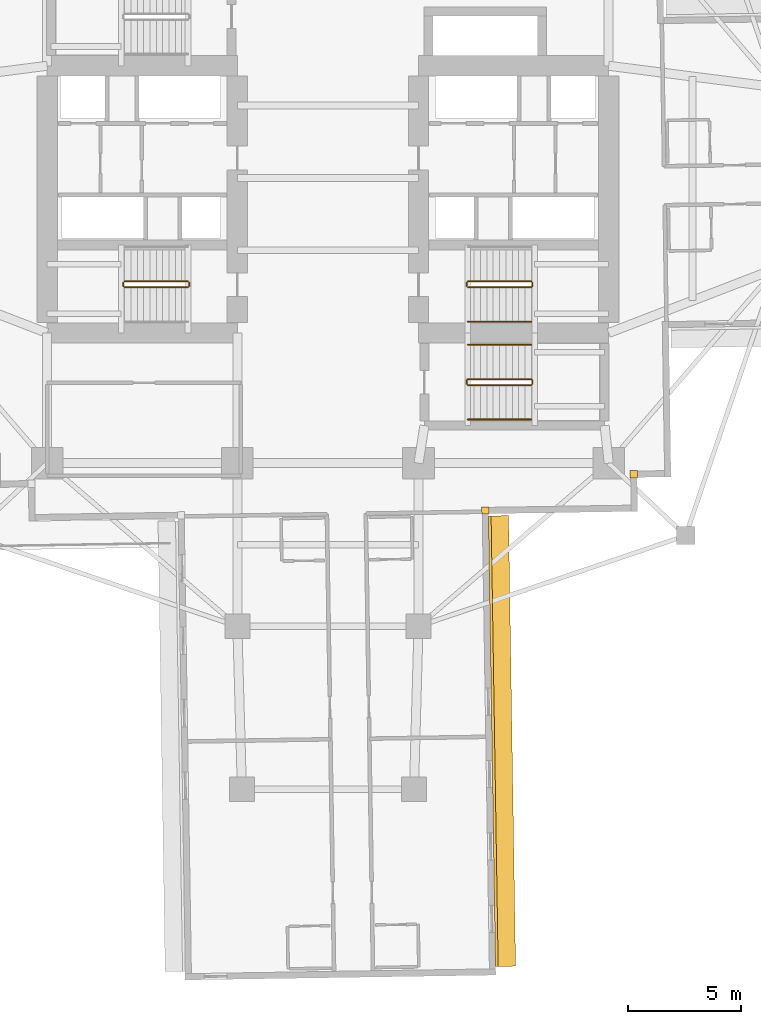
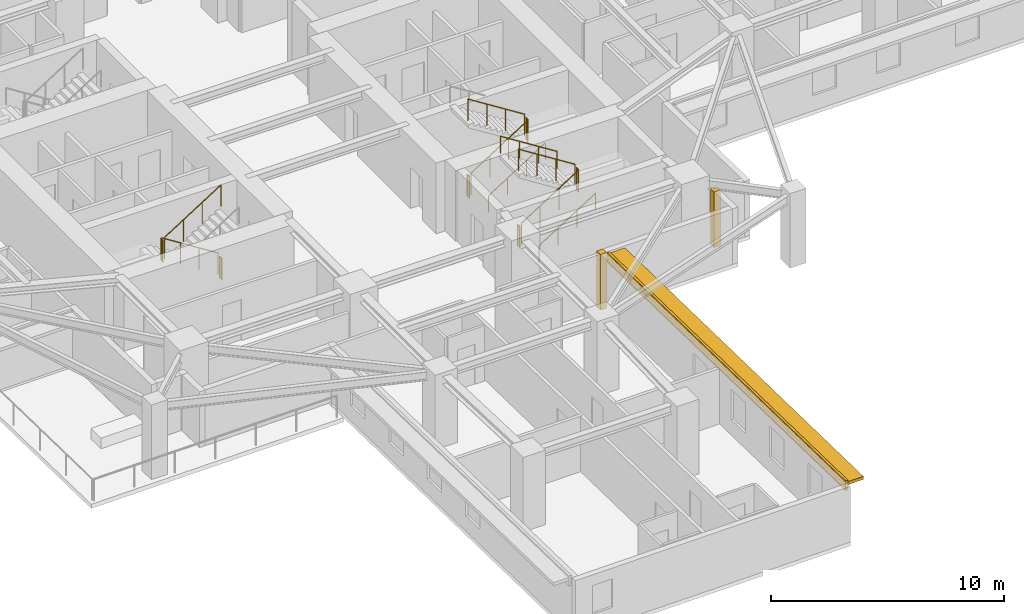
# One storey, part 11 of 14: 15 railings, 3 coverings, 1 shading device.
"""IFC4 building model written with IfcOpenShell, lengths in metres."""

import ifcopenshell
import ifcopenshell.guid

model = None  # the IFC model being written
_history = None  # IfcOwnerHistory: only IFC2X3 demands one
_inside = {}  # id of a spatial element -> (the spatial element, [elements in it])
_under = {}  # id of a project, library or spatial element -> (it, [spatial elements below it])
_declared = {}  # id of a project -> (the project, [libraries it declares])
_typed = {}  # id of a type object -> (the type object, [elements of that type])
_made_of = {}  # id of a material, layer set ... -> (it, [elements and type objects made of it])


def new_model(schema):
    """Start an empty IFC model of exactly this schema.

    Asked for "IFC4X3", IfcOpenShell would pick the latest addendum, in which some entities
    have other attributes; the version numbers below select the first issue.
    IFC2X3 requires an IfcOwnerHistory on every rooted entity: one is made here for all.
    """
    global model, _history
    if schema == "IFC4X3":
        model = ifcopenshell.file(schema_version=(4, 3, 0, 0))
    else:
        model = ifcopenshell.file(schema=schema)
    _inside.clear()
    _under.clear()
    _declared.clear()
    _typed.clear()
    _made_of.clear()
    _history = None
    if model.schema == "IFC2X3":
        org = make("IfcOrganization", Name="unknown")
        user = make(
            "IfcPersonAndOrganization",
            ThePerson=make("IfcPerson", FamilyName="unknown"),
            TheOrganization=org,
        )
        app = make(
            "IfcApplication",
            ApplicationDeveloper=org,
            Version="unknown",
            ApplicationFullName="unknown",
            ApplicationIdentifier="unknown",
        )
        _history = make(
            "IfcOwnerHistory",
            OwningUser=user,
            OwningApplication=app,
            ChangeAction="ADDED",
            CreationDate=0,
        )
    return model


def make(cls, **values):
    """One entity of the class cls with the attributes given. An attribute that is None is left unset."""
    return model.create_entity(
        cls, **{name: value for name, value in values.items() if value is not None}
    )


def rooted(cls, **values):
    """An entity with a GlobalId (a new one), such as an element, a storey or a relation."""
    return make(cls, GlobalId=ifcopenshell.guid.new(), OwnerHistory=_history, **values)


def si_unit(unit_type, name, prefix=None):
    """IfcSIUnit, for example si_unit("LENGTHUNIT", "METRE", prefix="MILLI")."""
    return make("IfcSIUnit", UnitType=unit_type, Prefix=prefix, Name=name)


def assignment(units):
    """IfcUnitAssignment: the units of a project."""
    return None if units is None else make("IfcUnitAssignment", Units=units)


def point(xyz):
    """IfcCartesianPoint."""
    return None if xyz is None else make("IfcCartesianPoint", Coordinates=xyz)


def direction(xyz):
    """IfcDirection."""
    return None if xyz is None else make("IfcDirection", DirectionRatios=xyz)


def frame(location, z_axis=None, x_axis=None):
    """IfcAxis2Placement3D, a coordinate frame: its origin and axes. An axis left out is left unset."""
    return make(
        "IfcAxis2Placement3D",
        Location=point(location),
        Axis=direction(z_axis),
        RefDirection=direction(x_axis),
    )


def frame_2d(location, x_axis=None):
    """IfcAxis2Placement2D, a coordinate frame in the plane: its origin and x axis."""
    return make(
        "IfcAxis2Placement2D", Location=point(location), RefDirection=direction(x_axis)
    )


def origin():
    """The frame at (0, 0, 0) with its axes left unset."""
    return frame((0.0, 0.0, 0.0))


def origin_2d():
    """The frame at (0, 0) in the plane with its x axis left unset."""
    return frame_2d((0.0, 0.0))


def place(relative_to, where):
    """IfcLocalPlacement: puts the frame where relative to a parent placement (None: the world)."""
    return make(
        "IfcLocalPlacement", PlacementRelTo=relative_to, RelativePlacement=where
    )


def context(
    kind, dimensions, precision=None, world=None, true_north=None, identifier=None
):
    """IfcGeometricRepresentationContext, for example the 3D "Model" context."""
    return make(
        "IfcGeometricRepresentationContext",
        ContextIdentifier=identifier,
        ContextType=kind,
        CoordinateSpaceDimension=dimensions,
        Precision=precision,
        WorldCoordinateSystem=world,
        TrueNorth=true_north,
    )


def subcontext(parent, identifier, kind, view, scale=None):
    """IfcGeometricRepresentationSubContext, for example "Body" below "Model"."""
    return make(
        "IfcGeometricRepresentationSubContext",
        ContextIdentifier=identifier,
        ContextType=kind,
        ParentContext=parent,
        TargetScale=scale,
        TargetView=view,
    )


def project(units=None, contexts=None):
    """IfcProject with its units and contexts."""
    return rooted(
        "IfcProject",
        Name="project",
        RepresentationContexts=contexts,
        UnitsInContext=assignment(units),
    )


def spatial(cls, under=None, at=None, **own):
    """A site, building, storey or space (cls), placed at a placement, below another one or the project."""
    s = rooted(cls, ObjectPlacement=at, **own)
    if under is not None:
        _under.setdefault(under.id(), (under, []))[1].append(s)
    return s


def profile(cls, at=None, kind="AREA", **sizes):
    """A parametric profile (cls). Its sizes go by their IFC names, for example OverallWidth=200.0."""
    return make(cls, ProfileType=kind, Position=at, **sizes)


def rectangle(**sizes):
    """IfcRectangleProfileDef."""
    return profile("IfcRectangleProfileDef", **sizes)


def circle(**sizes):
    """IfcCircleProfileDef."""
    return profile("IfcCircleProfileDef", **sizes)


def extrude(swept, where, along, depth):
    """IfcExtrudedAreaSolid: the profile swept, set in the frame where, extruded along a direction by depth."""
    return make(
        "IfcExtrudedAreaSolid",
        SweptArea=swept,
        Position=where,
        ExtrudedDirection=direction(along),
        Depth=depth,
    )


def shape(context_of_items, identifier, shape_type, items):
    """IfcShapeRepresentation: the items that make up one representation, for example the "Body"."""
    return make(
        "IfcShapeRepresentation",
        ContextOfItems=context_of_items,
        RepresentationIdentifier=identifier,
        RepresentationType=shape_type,
        Items=items,
    )


def material(Name=None, Category=None):
    """IfcMaterial."""
    return make("IfcMaterial", Name=Name, Category=Category)


def layer(
    of_material, thickness, ventilated=None, Name=None, Category=None, Priority=None
):
    """IfcMaterialLayer: one layer of a wall or slab, of a material (None: an air gap)."""
    return make(
        "IfcMaterialLayer",
        Material=of_material,
        LayerThickness=thickness,
        IsVentilated=ventilated,
        Name=Name,
        Category=Category,
        Priority=Priority,
    )


def layer_set(layers, Name=None):
    """IfcMaterialLayerSet."""
    return make("IfcMaterialLayerSet", MaterialLayers=layers, LayerSetName=Name)


def made_of(thing, what):
    """Note that an element or type object is made of a material, layer set ...; save() writes the relation."""
    if what is not None:
        _made_of.setdefault(what.id(), (what, []))[1].append(thing)
    return thing


def type_object(cls, material=None, **own):
    """A type object (cls), such as IfcWallType, which elements share."""
    return made_of(rooted(cls, **own), material)


def element(
    cls,
    number,
    at=None,
    inside=None,
    cuts=None,
    type_object=None,
    material=None,
    context=None,
    identifier="Body",
    shape_type=None,
    held_by="IfcProductDefinitionShape",
    body=None,
    shapes=None,
    **own,
):
    """One element of the class cls, such as IfcWall. Its Tag is "e" and its number.

    at: its placement. inside: the storey or other place that contains it. cuts: it is an
    opening in that element (IfcRelVoidsElement). A single representation is given by context,
    identifier, shape_type and body (its items); several are given by shapes. held_by: the class
    of the entity that holds the representations. save() writes the other relations.
    """
    e = rooted(cls, Tag="e%d" % number, ObjectPlacement=at, **own)
    if body is not None:
        shapes = [shape(context, identifier, shape_type, body)]
    if shapes is not None:
        e.Representation = make(held_by, Representations=shapes)
    if inside is not None:
        _inside.setdefault(inside.id(), (inside, []))[1].append(e)
    if cuts is not None:
        rooted(
            "IfcRelVoidsElement", RelatingBuildingElement=cuts, RelatedOpeningElement=e
        )
    if type_object is not None:
        _typed.setdefault(type_object.id(), (type_object, []))[1].append(e)
    return made_of(e, material)


def aggregate(whole, parts):
    """IfcRelAggregates: a whole, such as a stair, and the parts it consists of."""
    return rooted("IfcRelAggregates", RelatingObject=whole, RelatedObjects=parts)


def save(model, path):
    """Write the relations noted so far, then the file.

    IfcRelAggregates (storeys below a building ...), IfcRelContainedInSpatialStructure (elements
    in a storey), IfcRelDefinesByType, IfcRelAssociatesMaterial and IfcRelDeclares: one each for
    every whole, place, type object, material and project.
    """
    for whole, parts in _under.values():
        aggregate(whole, parts)
    for where, things in _inside.values():
        rooted(
            "IfcRelContainedInSpatialStructure",
            RelatedElements=things,
            RelatingStructure=where,
        )
    for kind, things in _typed.values():
        rooted("IfcRelDefinesByType", RelatedObjects=things, RelatingType=kind)
    for what, things in _made_of.values():
        rooted("IfcRelAssociatesMaterial", RelatedObjects=things, RelatingMaterial=what)
    for by, libraries in _declared.values():
        rooted("IfcRelDeclares", RelatingContext=by, RelatedDefinitions=libraries)
    model.write(path)


model = new_model("IFC4")

# Units and contexts
model_context = context("Model", 3, precision=1e-05, world=origin(), true_north=direction((0.0, 1.0)))
body_context = subcontext(model_context, "Body", "Model", "MODEL_VIEW")
ifc_project = project(units=[si_unit("LENGTHUNIT", "METRE"), si_unit("AREAUNIT", "SQUARE_METRE"), si_unit("VOLUMEUNIT", "CUBIC_METRE"), si_unit("PLANEANGLEUNIT", "RADIAN"), si_unit("MASSUNIT", "GRAM", prefix="KILO")], contexts=[model_context])

# Site, building, storey
site_placement = place(None, origin())
site = spatial("IfcSite", under=ifc_project, at=site_placement, CompositionType="ELEMENT")
building_placement = place(site_placement, origin())
building = spatial("IfcBuilding", under=site, at=building_placement, Name="Qingluan Cross Belvedere", CompositionType="ELEMENT")
storey_placement = place(building_placement, frame((0.0, 0.0, 60.0)))
storey = spatial("IfcBuildingStorey", under=building, at=storey_placement, Name="L15", CompositionType="ELEMENT", Elevation=60.0)

# Coverings
ifc_material_1 = material(Name="Precast concrete C45", Category="concrete")
ifc_layer_1 = layer(ifc_material_1, 0.1201171875, Name="ConcreteSpandrelCladding_120")
ifc_layer_set_1 = layer_set([ifc_layer_1], Name="Precast concrete C45")
covering_type = type_object("IfcCoveringType", Name="ConcreteSpandrelCladding_120", PredefinedType="CLADDING", material=ifc_layer_set_1)
covering_placement = place(storey_placement, frame((7.3017578125, -24.87841796875, 2.449951171875), z_axis=(0.0, 0.0, 1.0), x_axis=(-0.015711457647, 0.999876567432, 0.0)))
element("IfcCovering", 1, at=covering_placement, inside=storey, type_object=covering_type, Name="Spandrel cladding L15-SB", PredefinedType="CLADDING", context=body_context, shape_type="SweptSolid", body=[
    extrude(rectangle(XDim=19.89990234375, YDim=0.1201171875, at=origin_2d()), origin(), (0.0, 0.0, 1.0), 0.52001953125),
])
for number, where, z_axis, x_axis, name in (
    (2, (13.50732421875, -13.089599609375, 0.0), (0.0, 0.0, 1.0), (0.999876632482, 0.015707317312, 0.0), "Corner closure L15-SE1"),
    (3, (6.95166015625, -14.692626953125, 0.0), (0.0, 0.0, 1.0), (0.999876632482, 0.015707317312, 0.0), "Corner closure L15-SE2"),
):
    element("IfcCovering", number, at=place(storey_placement, frame(where, z_axis=z_axis, x_axis=x_axis)), inside=storey, type_object=covering_type, Name=name, PredefinedType="CLADDING", context=body_context, shape_type="SweptSolid", body=[
        extrude(rectangle(XDim=0.320068359375, YDim=0.320068359375, at=origin_2d()), origin(), (0.0, 0.0, 1.0), 2.909912109375),
    ])

# Shading device
ifc_material_2 = material(Name="Precast concrete C45", Category="concrete")
ifc_layer_2 = layer(ifc_material_2, 0.159912109375, Name="ConcreteSunshadeBand_900")
ifc_layer_set_2 = layer_set([ifc_layer_2], Name="Precast concrete C45")
shading_device_type = type_object("IfcShadingDeviceType", Name="ConcreteSunshadeBand_900", PredefinedType="USERDEFINED", material=ifc_layer_set_2)
shading_device_placement = place(storey_placement, frame((7.681640625, -24.872314453125, 2.72998046875), z_axis=(0.0, 0.0, 1.0), x_axis=(-0.015711457647, 0.999876567432, 0.0)))
element("IfcShadingDevice", 4, at=shading_device_placement, inside=storey, type_object=shading_device_type, Name="Concrete SUNSHADE L15-SB", ObjectType="SUNSHADE", PredefinedType="USERDEFINED", context=body_context, shape_type="SweptSolid", body=[
    extrude(rectangle(XDim=19.89990234375, YDim=0.89990234375, at=origin_2d()), origin(), (0.0, 0.0, 1.0), 0.159912109375),
])

# Railings
ifc_material_3 = material(Name="Brushed stainless steel tubular handrail", Category="steel")
railing_type_1 = type_object("IfcRailingType", Name="StairPitchHandrail_900", PredefinedType="HANDRAIL", material=ifc_material_3)
for number, where, name in (
    (5, (6.179931640625, -6.35009765625, 0.17724609375), "L15 ST2 stair handrail 1"),
    (6, (6.179931640625, -10.669921875, 0.17724609375), "L15 ST4 stair handrail 1"),
):
    element("IfcRailing", number, at=place(storey_placement, frame(where)), inside=storey, type_object=railing_type_1, Name=name, PredefinedType="HANDRAIL", context=body_context, shape_type="SweptSolid", body=[
        extrude(circle(Radius=0.02392578125, at=origin_2d()), frame((0.0, 0.0, 0.8759765625), z_axis=(0.844908973607, 0.0, 0.534910110503), x_axis=(0.0, 1.0, 0.0)), (0.0, 0.0, 1.0), 3.31396484375),
        extrude(circle(Radius=0.02099609375, at=origin_2d()), origin(), (0.0, 0.0, 1.0), 0.851806640625),
        extrude(circle(Radius=0.02099609375, at=origin_2d()), frame((0.933349609375, 0.0, 0.5908203125)), (0.0, 0.0, 1.0), 0.851806640625),
        extrude(circle(Radius=0.02099609375, at=origin_2d()), frame((1.86669921875, 0.0, 1.181884765625)), (0.0, 0.0, 1.0), 0.851806640625),
        extrude(circle(Radius=0.02099609375, at=origin_2d()), frame((2.800048828125, 0.0, 1.772705078125)), (0.0, 0.0, 1.0), 0.851806640625),
    ])
railing_1_placement = place(storey_placement, frame((8.97998046875, -7.3701171875, 2.127197265625)))
element("IfcRailing", 7, at=railing_1_placement, inside=storey, type_object=railing_type_1, Name="L15 ST4 stair handrail 2", PredefinedType="HANDRAIL", context=body_context, shape_type="SweptSolid", body=[
    extrude(circle(Radius=0.02392578125, at=origin_2d()), frame((0.0, 0.0, 0.8759765625), z_axis=(-0.844908973607, 0.0, 0.534910110503), x_axis=(0.0, -1.0, 0.0)), (0.0, 0.0, 1.0), 3.31396484375),
    extrude(circle(Radius=0.02099609375, at=origin_2d()), origin(), (0.0, 0.0, 1.0), 0.851806640625),
    extrude(circle(Radius=0.02099609375, at=origin_2d()), frame((-0.933349609375, 0.0, 0.5908203125)), (0.0, 0.0, 1.0), 0.851806640625),
    extrude(circle(Radius=0.02099609375, at=origin_2d()), frame((-1.86669921875, 0.0, 1.181884765625)), (0.0, 0.0, 1.0), 0.851806640625),
    extrude(circle(Radius=0.02099609375, at=origin_2d()), frame((-2.800048828125, 0.0, 1.772705078125)), (0.0, 0.0, 1.0), 0.851806640625),
])
ifc_material_4 = material(Name="Painted steel stair well guard", Category="steel")
railing_type_2 = type_object("IfcRailingType", Name="StairWellGuard_1150", PredefinedType="BALUSTRADE", material=ifc_material_4)
railing_2_placement = place(storey_placement, frame((-6.179931640625, -4.570068359375, 0.17724609375)))
element("IfcRailing", 8, at=railing_2_placement, inside=storey, type_object=railing_type_2, Name="L15 ST1 stair guard 1", PredefinedType="BALUSTRADE", context=body_context, shape_type="SweptSolid", body=[
    extrude(circle(Radius=0.02392578125, at=origin_2d()), frame((0.0, 0.0, 1.1259765625), z_axis=(-0.844908973607, 0.0, 0.534910110503), x_axis=(0.0, -1.0, 0.0)), (0.0, 0.0, 1.0), 3.31396484375),
    extrude(circle(Radius=0.02099609375, at=origin_2d()), origin(), (0.0, 0.0, 1.0), 1.101806640625),
    extrude(circle(Radius=0.02099609375, at=origin_2d()), frame((-0.933349609375, 0.0, 0.5908203125)), (0.0, 0.0, 1.0), 1.101806640625),
    extrude(circle(Radius=0.02099609375, at=origin_2d()), frame((-1.86669921875, 0.0, 1.181884765625)), (0.0, 0.0, 1.0), 1.101806640625),
    extrude(circle(Radius=0.02099609375, at=origin_2d()), frame((-2.800048828125, 0.0, 1.772705078125)), (0.0, 0.0, 1.0), 1.101806640625),
])
railing_3_placement = place(storey_placement, frame((-9.030029296875, -4.6201171875, 1.949951171875)))
element("IfcRailing", 9, at=railing_3_placement, inside=storey, type_object=railing_type_2, Name="L15 ST1 stair guard 2", PredefinedType="BALUSTRADE", context=body_context, shape_type="SweptSolid", body=[
    extrude(circle(Radius=0.02392578125, at=origin_2d()), frame((0.0, 0.0, 1.1259765625), z_axis=(0.0, -1.0, 0.0), x_axis=(1.0, 0.0, 0.0)), (0.0, 0.0, 1.0), 0.159912109375),
    extrude(circle(Radius=0.02099609375, at=origin_2d()), origin(), (0.0, 0.0, 1.0), 1.101806640625),
    extrude(circle(Radius=0.02099609375, at=origin_2d()), frame((0.0, -0.159912109375, 0.0)), (0.0, 0.0, 1.0), 1.101806640625),
])
railing_4_placement = place(storey_placement, frame((-8.97998046875, -4.830078125, 2.127197265625)))
element("IfcRailing", 10, at=railing_4_placement, inside=storey, type_object=railing_type_2, Name="L15 ST1 stair guard 3", PredefinedType="BALUSTRADE", context=body_context, shape_type="SweptSolid", body=[
    extrude(circle(Radius=0.02392578125, at=origin_2d()), frame((0.0, 0.0, 1.1259765625), z_axis=(0.844908973607, 0.0, 0.534910110503), x_axis=(0.0, 1.0, 0.0)), (0.0, 0.0, 1.0), 3.31396484375),
    extrude(circle(Radius=0.02099609375, at=origin_2d()), origin(), (0.0, 0.0, 1.0), 1.101806640625),
    extrude(circle(Radius=0.02099609375, at=origin_2d()), frame((0.933349609375, 0.0, 0.5908203125)), (0.0, 0.0, 1.0), 1.101806640625),
    extrude(circle(Radius=0.02099609375, at=origin_2d()), frame((1.86669921875, 0.0, 1.181884765625)), (0.0, 0.0, 1.0), 1.101806640625),
    extrude(circle(Radius=0.02099609375, at=origin_2d()), frame((2.800048828125, 0.0, 1.772705078125)), (0.0, 0.0, 1.0), 1.101806640625),
])
railing_5_placement = place(storey_placement, frame((-6.1298828125, -4.6201171875, 0.0)))
element("IfcRailing", 11, at=railing_5_placement, inside=storey, type_object=railing_type_2, Name="L15 ST1 stair guard 4", PredefinedType="BALUSTRADE", context=body_context, shape_type="SweptSolid", body=[
    extrude(circle(Radius=0.02392578125, at=origin_2d()), frame((0.0, 0.0, 1.1259765625), z_axis=(0.0, -1.0, 0.0), x_axis=(1.0, 0.0, 0.0)), (0.0, 0.0, 1.0), 0.159912109375),
    extrude(circle(Radius=0.02099609375, at=origin_2d()), origin(), (0.0, 0.0, 1.0), 1.101806640625),
    extrude(circle(Radius=0.02099609375, at=origin_2d()), frame((0.0, -0.159912109375, 0.0)), (0.0, 0.0, 1.0), 1.101806640625),
])
railing_6_placement = place(storey_placement, frame((6.179931640625, -4.830078125, 0.17724609375)))
element("IfcRailing", 12, at=railing_6_placement, inside=storey, type_object=railing_type_2, Name="L15 ST2 stair guard 1", PredefinedType="BALUSTRADE", context=body_context, shape_type="SweptSolid", body=[
    extrude(circle(Radius=0.02392578125, at=origin_2d()), frame((0.0, 0.0, 1.1259765625), z_axis=(0.844908973607, 0.0, 0.534910110503), x_axis=(0.0, 1.0, 0.0)), (0.0, 0.0, 1.0), 3.31396484375),
    extrude(circle(Radius=0.02099609375, at=origin_2d()), origin(), (0.0, 0.0, 1.0), 1.101806640625),
    extrude(circle(Radius=0.02099609375, at=origin_2d()), frame((0.933349609375, 0.0, 0.5908203125)), (0.0, 0.0, 1.0), 1.101806640625),
    extrude(circle(Radius=0.02099609375, at=origin_2d()), frame((1.86669921875, 0.0, 1.181884765625)), (0.0, 0.0, 1.0), 1.101806640625),
    extrude(circle(Radius=0.02099609375, at=origin_2d()), frame((2.800048828125, 0.0, 1.772705078125)), (0.0, 0.0, 1.0), 1.101806640625),
])
railing_7_placement = place(storey_placement, frame((9.030029296875, -4.780029296875, 1.949951171875)))
element("IfcRailing", 13, at=railing_7_placement, inside=storey, type_object=railing_type_2, Name="L15 ST2 stair guard 2", PredefinedType="BALUSTRADE", context=body_context, shape_type="SweptSolid", body=[
    extrude(circle(Radius=0.02392578125, at=origin_2d()), frame((0.0, 0.0, 1.1259765625), z_axis=(0.0, 1.0, 0.0), x_axis=(-1.0, 0.0, 0.0)), (0.0, 0.0, 1.0), 0.159912109375),
    extrude(circle(Radius=0.02099609375, at=origin_2d()), origin(), (0.0, 0.0, 1.0), 1.101806640625),
    extrude(circle(Radius=0.02099609375, at=origin_2d()), frame((0.0, 0.159912109375, 0.0)), (0.0, 0.0, 1.0), 1.101806640625),
])
railing_8_placement = place(storey_placement, frame((8.97998046875, -4.570068359375, 2.127197265625)))
element("IfcRailing", 14, at=railing_8_placement, inside=storey, type_object=railing_type_2, Name="L15 ST2 stair guard 3", PredefinedType="BALUSTRADE", context=body_context, shape_type="SweptSolid", body=[
    extrude(circle(Radius=0.02392578125, at=origin_2d()), frame((0.0, 0.0, 1.1259765625), z_axis=(-0.844908973607, 0.0, 0.534910110503), x_axis=(0.0, -1.0, 0.0)), (0.0, 0.0, 1.0), 3.31396484375),
    extrude(circle(Radius=0.02099609375, at=origin_2d()), origin(), (0.0, 0.0, 1.0), 1.101806640625),
    extrude(circle(Radius=0.02099609375, at=origin_2d()), frame((-0.933349609375, 0.0, 0.5908203125)), (0.0, 0.0, 1.0), 1.101806640625),
    extrude(circle(Radius=0.02099609375, at=origin_2d()), frame((-1.86669921875, 0.0, 1.181884765625)), (0.0, 0.0, 1.0), 1.101806640625),
    extrude(circle(Radius=0.02099609375, at=origin_2d()), frame((-2.800048828125, 0.0, 1.772705078125)), (0.0, 0.0, 1.0), 1.101806640625),
])
railing_9_placement = place(storey_placement, frame((6.1298828125, -4.780029296875, 0.0)))
element("IfcRailing", 15, at=railing_9_placement, inside=storey, type_object=railing_type_2, Name="L15 ST2 stair guard 4", PredefinedType="BALUSTRADE", context=body_context, shape_type="SweptSolid", body=[
    extrude(circle(Radius=0.02392578125, at=origin_2d()), frame((0.0, 0.0, 1.1259765625), z_axis=(0.0, 1.0, 0.0), x_axis=(-1.0, 0.0, 0.0)), (0.0, 0.0, 1.0), 0.159912109375),
    extrude(circle(Radius=0.02099609375, at=origin_2d()), origin(), (0.0, 0.0, 1.0), 1.101806640625),
    extrude(circle(Radius=0.02099609375, at=origin_2d()), frame((0.0, 0.159912109375, 0.0)), (0.0, 0.0, 1.0), 1.101806640625),
])
railing_10_placement = place(storey_placement, frame((6.179931640625, -9.14990234375, 0.17724609375)))
element("IfcRailing", 16, at=railing_10_placement, inside=storey, type_object=railing_type_2, Name="L15 ST4 stair guard 1", PredefinedType="BALUSTRADE", context=body_context, shape_type="SweptSolid", body=[
    extrude(circle(Radius=0.02392578125, at=origin_2d()), frame((0.0, 0.0, 1.1259765625), z_axis=(0.844908973607, 0.0, 0.534910110503), x_axis=(0.0, 1.0, 0.0)), (0.0, 0.0, 1.0), 3.31396484375),
    extrude(circle(Radius=0.02099609375, at=origin_2d()), origin(), (0.0, 0.0, 1.0), 1.101806640625),
    extrude(circle(Radius=0.02099609375, at=origin_2d()), frame((0.933349609375, 0.0, 0.5908203125)), (0.0, 0.0, 1.0), 1.101806640625),
    extrude(circle(Radius=0.02099609375, at=origin_2d()), frame((1.86669921875, 0.0, 1.181884765625)), (0.0, 0.0, 1.0), 1.101806640625),
    extrude(circle(Radius=0.02099609375, at=origin_2d()), frame((2.800048828125, 0.0, 1.772705078125)), (0.0, 0.0, 1.0), 1.101806640625),
])
railing_11_placement = place(storey_placement, frame((9.030029296875, -9.10009765625, 1.949951171875)))
element("IfcRailing", 17, at=railing_11_placement, inside=storey, type_object=railing_type_2, Name="L15 ST4 stair guard 2", PredefinedType="BALUSTRADE", context=body_context, shape_type="SweptSolid", body=[
    extrude(circle(Radius=0.02392578125, at=origin_2d()), frame((0.0, 0.0, 1.1259765625), z_axis=(0.0, 1.0, 0.0), x_axis=(-1.0, 0.0, 0.0)), (0.0, 0.0, 1.0), 0.16015625),
    extrude(circle(Radius=0.02099609375, at=origin_2d()), origin(), (0.0, 0.0, 1.0), 1.101806640625),
    extrude(circle(Radius=0.02099609375, at=origin_2d()), frame((0.0, 0.16015625, 0.0)), (0.0, 0.0, 1.0), 1.101806640625),
])
railing_12_placement = place(storey_placement, frame((8.97998046875, -8.889892578125, 2.127197265625)))
element("IfcRailing", 18, at=railing_12_placement, inside=storey, type_object=railing_type_2, Name="L15 ST4 stair guard 3", PredefinedType="BALUSTRADE", context=body_context, shape_type="SweptSolid", body=[
    extrude(circle(Radius=0.02392578125, at=origin_2d()), frame((0.0, 0.0, 1.1259765625), z_axis=(-0.844908973607, 0.0, 0.534910110503), x_axis=(0.0, -1.0, 0.0)), (0.0, 0.0, 1.0), 3.31396484375),
    extrude(circle(Radius=0.02099609375, at=origin_2d()), origin(), (0.0, 0.0, 1.0), 1.101806640625),
    extrude(circle(Radius=0.02099609375, at=origin_2d()), frame((-0.933349609375, 0.0, 0.5908203125)), (0.0, 0.0, 1.0), 1.101806640625),
    extrude(circle(Radius=0.02099609375, at=origin_2d()), frame((-1.86669921875, 0.0, 1.181884765625)), (0.0, 0.0, 1.0), 1.101806640625),
    extrude(circle(Radius=0.02099609375, at=origin_2d()), frame((-2.800048828125, 0.0, 1.772705078125)), (0.0, 0.0, 1.0), 1.101806640625),
])
railing_13_placement = place(storey_placement, frame((6.1298828125, -9.10009765625, 0.0)))
element("IfcRailing", 19, at=railing_13_placement, inside=storey, type_object=railing_type_2, Name="L15 ST4 stair guard 4", PredefinedType="BALUSTRADE", context=body_context, shape_type="SweptSolid", body=[
    extrude(circle(Radius=0.02392578125, at=origin_2d()), frame((0.0, 0.0, 1.1259765625), z_axis=(0.0, 1.0, 0.0), x_axis=(-1.0, 0.0, 0.0)), (0.0, 0.0, 1.0), 0.16015625),
    extrude(circle(Radius=0.02099609375, at=origin_2d()), origin(), (0.0, 0.0, 1.0), 1.101806640625),
    extrude(circle(Radius=0.02099609375, at=origin_2d()), frame((0.0, 0.16015625, 0.0)), (0.0, 0.0, 1.0), 1.101806640625),
])

save(model, "model.ifc")
